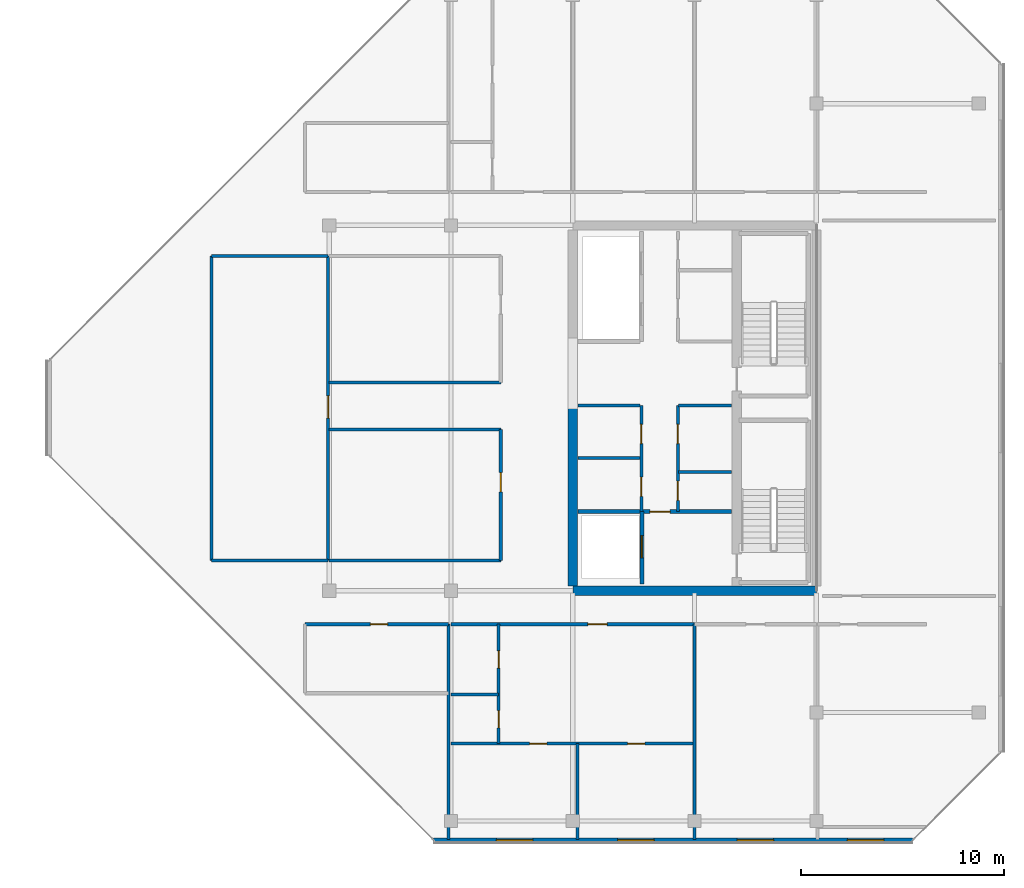
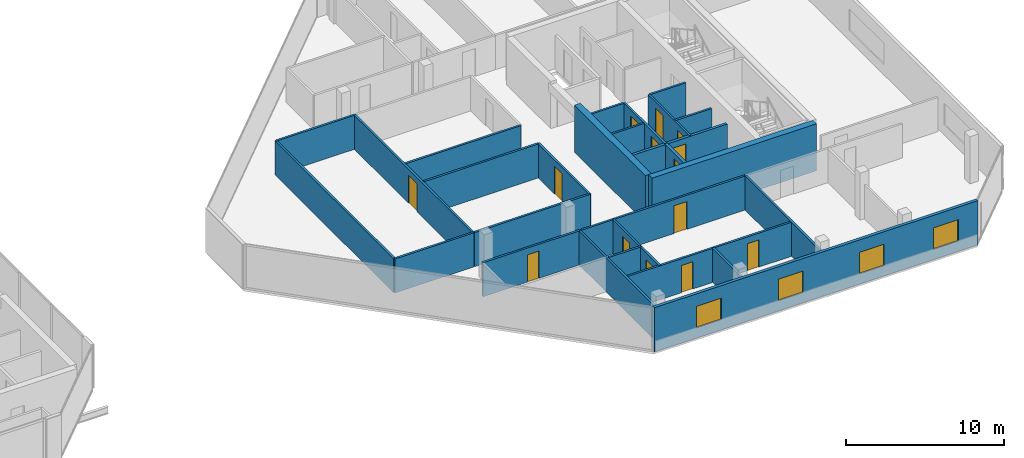
# One storey, part 22 of 28: 27 walls, 14 doors, 4 windows, 18 openings.
"""IFC4 building model written with IfcOpenShell, lengths in metres."""

from ifc_helpers import new_model, si_unit, direction, frame, frame_2d, origin, place, context, subcontext, project, spatial, rectangle, extrude, material, layer, layer_set, type_object, element, fill, save


model = new_model("IFC4")

# Units and contexts
model_context = context("Model", 3, precision=1e-05, world=origin(), true_north=direction((0.0, 1.0)))
body_context = subcontext(model_context, "Body", "Model", "MODEL_VIEW")
ifc_project = project(units=[si_unit("LENGTHUNIT", "METRE"), si_unit("AREAUNIT", "SQUARE_METRE"), si_unit("VOLUMEUNIT", "CUBIC_METRE"), si_unit("PLANEANGLEUNIT", "RADIAN"), si_unit("MASSUNIT", "GRAM", prefix="KILO")], contexts=[model_context])

# Site, building, storey
site_placement = place(None, origin())
site = spatial("IfcSite", under=ifc_project, at=site_placement, CompositionType="ELEMENT")
building_placement = place(site_placement, origin())
building = spatial("IfcBuilding", under=site, at=building_placement, Name="Tanjung Sevakor Pilgrim Tower", CompositionType="ELEMENT")
storey_placement = place(building_placement, frame((0.0, 0.0, 249.81005859375)))
storey = spatial("IfcBuildingStorey", under=building, at=storey_placement, Name="L70", CompositionType="ELEMENT", Elevation=249.81005859375)

# Walls
ifc_material_1 = material(Name="Concrete C60/75", Category="concrete")
ifc_layer_1 = layer(ifc_material_1, 0.449951171875)
ifc_layer_set_1 = layer_set([ifc_layer_1], Name="WALL-CW-450")
wall_type_1 = type_object("IfcWallType", Name="WALL-CW-450", PredefinedType="SHEAR", material=ifc_layer_set_1)
wall_1_placement = place(storey_placement, frame((78.0, 24.60009765625, 0.0), z_axis=(0.0, 0.0, 1.0), x_axis=(1.0, 0.0, 0.0)))
element("IfcWall", 1, at=wall_1_placement, inside=storey, type_object=wall_type_1, Name="L70 E Core South Shear Wall", PredefinedType="SHEAR", context=body_context, shape_type="SweptSolid", body=[
    extrude(rectangle(XDim=12.0, YDim=0.449951171875, at=frame_2d((6.0, 0.0))), origin(), (0.0, 0.0, 1.0), 3.6298828125),
])
wall_2_placement = place(storey_placement, frame((78.0, 24.824951171875, 0.0), z_axis=(0.0, 0.0, 1.0), x_axis=(0.0, 1.0, 0.0)))
element("IfcWall", 2, at=wall_2_placement, inside=storey, type_object=wall_type_1, Name="L70 E Core Inner Shear Wall South", PredefinedType="SHEAR", context=body_context, shape_type="SweptSolid", body=[
    extrude(rectangle(XDim=8.97509765625, YDim=0.449951171875, at=frame_2d((4.487548828125, 0.0))), origin(), (0.0, 0.0, 1.0), 3.6298828125),
])
ifc_material_2 = material(Name="Concrete C40/50", Category="concrete")
ifc_layer_2 = layer(ifc_material_2, 0.14990234375)
ifc_layer_set_2 = layer_set([ifc_layer_2], Name="WT-COMP-150")
wall_type_2 = type_object("IfcWallType", Name="WT-COMP-150", PredefinedType="SOLIDWALL", material=ifc_layer_set_2)
for number, where, z_axis, x_axis, name in (
    (3, (83.199951171875, 30.449951171875, 0.0), (0.0, 0.0, 1.0), (1.0, 0.0, 0.0), "L70 Partition IW-L70-016"),
    (4, (83.199951171875, 33.719970703125, 0.0), (0.0, 0.0, 1.0), (1.0, 0.0, 0.0), "L70 Partition IW-L70-017"),
):
    element("IfcWall", number, at=place(storey_placement, frame(where, z_axis=z_axis, x_axis=x_axis)), inside=storey, type_object=wall_type_2, Name=name, PredefinedType="SOLIDWALL", context=body_context, shape_type="SweptSolid", body=[
        extrude(rectangle(XDim=2.630126953125, YDim=0.14990234375, at=frame_2d((1.31494140625, 0.0))), origin(), (0.0, 0.0, 1.0), 2.6298828125),
    ])

# Wall, openings, doors
wall_3_placement = place(storey_placement, frame((83.179931640625, 28.5, 0.0), z_axis=(0.0, 0.0, 1.0), x_axis=(0.0, 1.0, 0.0)))
wall_3 = element("IfcWall", 5, at=wall_3_placement, inside=storey, type_object=wall_type_2, Name="L70 Partition IW-L70-018", PredefinedType="SOLIDWALL", context=body_context, shape_type="SweptSolid", body=[
    extrude(rectangle(XDim=5.219970703125, YDim=0.14990234375, at=frame_2d((2.60986328125, 0.0))), origin(), (0.0, 0.0, 1.0), 2.6298828125),
])
opening_1_placement = place(wall_3_placement, frame((0.550048828125, 0.0, 0.0)))
opening_1 = element("IfcOpeningElement", 6, at=opening_1_placement, cuts=wall_3, Name="Opening ID-FD2", PredefinedType="OPENING", context=body_context, shape_type="SweptSolid", body=[
    extrude(rectangle(XDim=0.949951171875, YDim=2.14990234375, at=frame_2d((0.47509765625, 1.074951171875))), frame((0.0, 0.0849609375, 0.0), z_axis=(0.0, -1.0, 0.0), x_axis=(1.0, 0.0, 0.0)), (0.0, 0.0, 1.0), 0.169921875),
])
opening_2_placement = place(wall_3_placement, frame((3.35009765625, 0.0, 0.0)))
opening_2 = element("IfcOpeningElement", 7, at=opening_2_placement, cuts=wall_3, Name="Opening ID-FD2", PredefinedType="OPENING", context=body_context, shape_type="SweptSolid", body=[
    extrude(rectangle(XDim=0.949951171875, YDim=2.14990234375, at=frame_2d((0.47509765625, 1.074951171875))), frame((0.0, 0.0849609375, 0.0), z_axis=(0.0, -1.0, 0.0), x_axis=(1.0, 0.0, 0.0)), (0.0, 0.0, 1.0), 0.169921875),
])
ifc_material_3 = material(Name="Fire-Rated Timber", Category="wood")
door_type_1 = type_object("IfcDoorType", Name="DT-FIRE-950", OperationType="NOTDEFINED", PredefinedType="DOOR", material=ifc_material_3)
door_1_placement = place(opening_1_placement, origin())
door_1 = element("IfcDoor", 8, at=door_1_placement, inside=storey, type_object=door_type_1, Name="L70 Cleaner Store Door", OperationType="SINGLE_SWING_LEFT", OverallHeight=2.14990234375, OverallWidth=0.949951171875, PredefinedType="DOOR", context=body_context, shape_type="SweptSolid", body=[
    extrude(rectangle(XDim=0.949951171875, YDim=2.14990234375, at=frame_2d((0.47509765625, 1.074951171875))), frame((0.0, 0.02490234375, 0.0), z_axis=(0.0, -1.0, 0.0), x_axis=(1.0, 0.0, 0.0)), (0.0, 0.0, 1.0), 0.050048828125),
])
fill(opening_1, door_1)
door_2_placement = place(opening_2_placement, origin())
door_2 = element("IfcDoor", 9, at=door_2_placement, inside=storey, type_object=door_type_1, Name="L70 Housekeeping Pantry Door", OperationType="SINGLE_SWING_RIGHT", OverallHeight=2.14990234375, OverallWidth=0.949951171875, PredefinedType="DOOR", context=body_context, shape_type="SweptSolid", body=[
    extrude(rectangle(XDim=0.949951171875, YDim=2.14990234375, at=frame_2d((0.47509765625, 1.074951171875))), frame((0.0, 0.02490234375, 0.0), z_axis=(0.0, -1.0, 0.0), x_axis=(1.0, 0.0, 0.0)), (0.0, 0.0, 1.0), 0.050048828125),
])
fill(opening_2, door_2)

# Walls
for number, where, z_axis, x_axis, name in (
    (10, (78.2451171875, 31.14990234375, 0.0), (0.0, 0.0, 1.0), (1.0, 0.0, 0.0), "L70 Partition IW-L70-019"),
    (11, (78.2451171875, 33.719970703125, 0.0), (0.0, 0.0, 1.0), (1.0, 0.0, 0.0), "L70 Partition IW-L70-020"),
):
    element("IfcWall", number, at=place(storey_placement, frame(where, z_axis=z_axis, x_axis=x_axis)), inside=storey, type_object=wall_type_2, Name=name, PredefinedType="SOLIDWALL", context=body_context, shape_type="SweptSolid", body=[
        extrude(rectangle(XDim=3.074951171875, YDim=0.14990234375, at=frame_2d((1.53759765625, 0.0))), origin(), (0.0, 0.0, 1.0), 2.6298828125),
    ])

# Wall, openings, doors
wall_4_placement = place(storey_placement, frame((81.3798828125, 28.5, 0.0), z_axis=(0.0, 0.0, 1.0), x_axis=(0.0, 1.0, 0.0)))
wall_4 = element("IfcWall", 12, at=wall_4_placement, inside=storey, type_object=wall_type_2, Name="L70 Partition IW-L70-021", PredefinedType="SOLIDWALL", context=body_context, shape_type="SweptSolid", body=[
    extrude(rectangle(XDim=5.219970703125, YDim=0.14990234375, at=frame_2d((2.60986328125, 0.0))), origin(), (0.0, 0.0, 1.0), 2.6298828125),
])
opening_3_placement = place(wall_4_placement, frame((0.75, 0.0, 0.0)))
opening_3 = element("IfcOpeningElement", 13, at=opening_3_placement, cuts=wall_4, Name="Opening ID-FD2", PredefinedType="OPENING", context=body_context, shape_type="SweptSolid", body=[
    extrude(rectangle(XDim=0.949951171875, YDim=2.14990234375, at=frame_2d((0.47509765625, 1.074951171875))), frame((0.0, 0.0849609375, 0.0), z_axis=(0.0, -1.0, 0.0), x_axis=(1.0, 0.0, 0.0)), (0.0, 0.0, 1.0), 0.169921875),
])
opening_4_placement = place(wall_4_placement, frame((3.35009765625, 0.0, 0.0)))
opening_4 = element("IfcOpeningElement", 14, at=opening_4_placement, cuts=wall_4, Name="Opening ID-FD2", PredefinedType="OPENING", context=body_context, shape_type="SweptSolid", body=[
    extrude(rectangle(XDim=0.949951171875, YDim=2.14990234375, at=frame_2d((0.47509765625, 1.074951171875))), frame((0.0, 0.0849609375, 0.0), z_axis=(0.0, -1.0, 0.0), x_axis=(1.0, 0.0, 0.0)), (0.0, 0.0, 1.0), 0.169921875),
])
door_3_placement = place(opening_3_placement, origin())
door_3 = element("IfcDoor", 15, at=door_3_placement, inside=storey, type_object=door_type_1, Name="L70 Accessible WC Door", OperationType="SINGLE_SWING_LEFT", OverallHeight=2.14990234375, OverallWidth=0.949951171875, PredefinedType="DOOR", context=body_context, shape_type="SweptSolid", body=[
    extrude(rectangle(XDim=0.949951171875, YDim=2.14990234375, at=frame_2d((0.47509765625, 1.074951171875))), frame((0.0, 0.02490234375, 0.0), z_axis=(0.0, -1.0, 0.0), x_axis=(1.0, 0.0, 0.0)), (0.0, 0.0, 1.0), 0.050048828125),
])
fill(opening_3, door_3)
door_4_placement = place(opening_4_placement, origin())
door_4 = element("IfcDoor", 16, at=door_4_placement, inside=storey, type_object=door_type_1, Name="L70 Core Service Door", OperationType="SINGLE_SWING_RIGHT", OverallHeight=2.14990234375, OverallWidth=0.949951171875, PredefinedType="DOOR", context=body_context, shape_type="SweptSolid", body=[
    extrude(rectangle(XDim=0.949951171875, YDim=2.14990234375, at=frame_2d((0.47509765625, 1.074951171875))), frame((0.0, 0.02490234375, 0.0), z_axis=(0.0, -1.0, 0.0), x_axis=(1.0, 0.0, 0.0)), (0.0, 0.0, 1.0), 0.050048828125),
])
fill(opening_4, door_4)

# Wall, opening, door
wall_5_placement = place(storey_placement, frame((64.800048828125, 22.949951171875, 0.0), z_axis=(0.0, 0.0, 1.0), x_axis=(1.0, 0.0, 0.0)))
wall_5 = element("IfcWall", 17, at=wall_5_placement, inside=storey, type_object=wall_type_2, Name="L70 Partition IW-L70-036", PredefinedType="SOLIDWALL", context=body_context, shape_type="SweptSolid", body=[
    extrude(rectangle(XDim=7.079833984375, YDim=0.14990234375, at=frame_2d((3.5400390625, 0.0))), origin(), (0.0, 0.0, 1.0), 2.6298828125),
])
opening_5_placement = place(wall_5_placement, frame((3.22509765625, 0.0, 0.0)))
opening_5 = element("IfcOpeningElement", 18, at=opening_5_placement, cuts=wall_5, Name="Opening ID-WC1", PredefinedType="OPENING", context=body_context, shape_type="SweptSolid", body=[
    extrude(rectangle(XDim=0.85009765625, YDim=2.10009765625, at=frame_2d((0.425048828125, 1.050048828125))), frame((0.0, 0.0849609375, 0.0), z_axis=(0.0, -1.0, 0.0), x_axis=(1.0, 0.0, 0.0)), (0.0, 0.0, 1.0), 0.169921875),
])
ifc_material_4 = material(Name="Moisture-Resistant Timber", Category="wood")
door_type_2 = type_object("IfcDoorType", Name="DT-INT-850", OperationType="NOTDEFINED", PredefinedType="DOOR", material=ifc_material_4)
door_5_placement = place(opening_5_placement, origin())
door_5 = element("IfcDoor", 19, at=door_5_placement, inside=storey, type_object=door_type_2, Name="L70 SW Crown Suite Door", OperationType="SINGLE_SWING_RIGHT", OverallHeight=2.10009765625, OverallWidth=0.85009765625, PredefinedType="DOOR", context=body_context, shape_type="SweptSolid", body=[
    extrude(rectangle(XDim=0.85009765625, YDim=2.10009765625, at=frame_2d((0.425048828125, 1.050048828125))), frame((0.0, 0.02490234375, 0.0), z_axis=(0.0, -1.0, 0.0), x_axis=(1.0, 0.0, 0.0)), (0.0, 0.0, 1.0), 0.050048828125),
])
fill(opening_5, door_5)

# Walls
for number, where, z_axis, x_axis, name in (
    (20, (71.8798828125, 12.340087890625, 0.0), (0.0, 0.0, 1.0), (0.0, 1.0, 0.0), "L70 Partition IW-L70-038"),
    (21, (84.0, 12.340087890625, 0.0), (0.0, 0.0, 1.0), (0.0, 1.0, 0.0), "L70 Partition IW-L70-051"),
):
    element("IfcWall", number, at=place(storey_placement, frame(where, z_axis=z_axis, x_axis=x_axis)), inside=storey, type_object=wall_type_2, Name=name, PredefinedType="SOLIDWALL", context=body_context, shape_type="SweptSolid", body=[
        extrude(rectangle(XDim=10.60986328125, YDim=0.14990234375, at=frame_2d((5.304931640625, 0.0))), origin(), (0.0, 0.0, 1.0), 2.6298828125),
    ])

# Wall, opening, door
wall_6_placement = place(storey_placement, frame((72.0, 22.949951171875, 0.0), z_axis=(0.0, 0.0, 1.0), x_axis=(1.0, 0.0, 0.0)))
wall_6 = element("IfcWall", 22, at=wall_6_placement, inside=storey, type_object=wall_type_2, Name="L70 Partition IW-L70-056", PredefinedType="SOLIDWALL", context=body_context, shape_type="SweptSolid", body=[
    extrude(rectangle(XDim=12.0, YDim=0.14990234375, at=frame_2d((6.0, 0.0))), origin(), (0.0, 0.0, 1.0), 2.6298828125),
])
opening_6_placement = place(wall_6_placement, frame((6.739990234375, 0.0, 0.0)))
opening_6 = element("IfcOpeningElement", 23, at=opening_6_placement, cuts=wall_6, Name="Opening ID-FD2", PredefinedType="OPENING", context=body_context, shape_type="SweptSolid", body=[
    extrude(rectangle(XDim=0.949951171875, YDim=2.14990234375, at=frame_2d((0.47509765625, 1.074951171875))), frame((0.0, 0.0849609375, 0.0), z_axis=(0.0, -1.0, 0.0), x_axis=(1.0, 0.0, 0.0)), (0.0, 0.0, 1.0), 0.169921875),
])
door_6_placement = place(opening_6_placement, origin())
door_6 = element("IfcDoor", 24, at=door_6_placement, inside=storey, type_object=door_type_1, Name="Suite Entrance", OperationType="SINGLE_SWING_LEFT", OverallHeight=2.14990234375, OverallWidth=0.949951171875, PredefinedType="DOOR", context=body_context, shape_type="SweptSolid", body=[
    extrude(rectangle(XDim=0.949951171875, YDim=2.14990234375, at=frame_2d((0.47509765625, 1.074951171875))), frame((0.0, 0.02490234375, 0.0), z_axis=(0.0, -1.0, 0.0), x_axis=(1.0, 0.0, 0.0)), (0.0, 0.0, 1.0), 0.050048828125),
])
fill(opening_6, door_6)

# Walls
for number, where, z_axis, x_axis, name in (
    (25, (60.199951171875, 26.10009765625, 0.0), (0.0, 0.0, 1.0), (1.0, 0.0, 0.0), "L70 Partition IW-L70-065"),
    (26, (60.199951171875, 41.10009765625, 0.0), (0.0, 0.0, 1.0), (1.0, 0.0, 0.0), "L70 Partition IW-L70-066"),
):
    element("IfcWall", number, at=place(storey_placement, frame(where, z_axis=z_axis, x_axis=x_axis)), inside=storey, type_object=wall_type_2, Name=name, PredefinedType="SOLIDWALL", context=body_context, shape_type="SweptSolid", body=[
        extrude(rectangle(XDim=5.75, YDim=0.14990234375, at=frame_2d((2.875, 0.0))), origin(), (0.0, 0.0, 1.0), 2.6298828125),
    ])
wall_7_placement = place(storey_placement, frame((60.199951171875, 26.10009765625, 0.0), z_axis=(0.0, 0.0, 1.0), x_axis=(0.0, 1.0, 0.0)))
element("IfcWall", 27, at=wall_7_placement, inside=storey, type_object=wall_type_2, Name="L70 Partition IW-L70-067", PredefinedType="SOLIDWALL", context=body_context, shape_type="SweptSolid", body=[
    extrude(rectangle(XDim=15.0, YDim=0.14990234375, at=frame_2d((7.5, 0.0))), origin(), (0.0, 0.0, 1.0), 2.6298828125),
])

# Wall, opening, door
wall_8_placement = place(storey_placement, frame((65.949951171875, 26.10009765625, 0.0), z_axis=(0.0, 0.0, 1.0), x_axis=(0.0, 1.0, 0.0)))
wall_8 = element("IfcWall", 28, at=wall_8_placement, inside=storey, type_object=wall_type_2, Name="L70 Partition IW-L70-068", PredefinedType="SOLIDWALL", context=body_context, shape_type="SweptSolid", body=[
    extrude(rectangle(XDim=15.0, YDim=0.14990234375, at=frame_2d((7.5, 0.0))), origin(), (0.0, 0.0, 1.0), 2.6298828125),
])
opening_7_placement = place(wall_8_placement, frame((7.0, 0.0, 0.0)))
opening_7 = element("IfcOpeningElement", 29, at=opening_7_placement, cuts=wall_8, Name="Opening ID-RM2", PredefinedType="OPENING", context=body_context, shape_type="SweptSolid", body=[
    extrude(rectangle(XDim=1.10009765625, YDim=2.14990234375, at=frame_2d((0.550048828125, 1.074951171875))), frame((0.0, 0.0849609375, 0.0), z_axis=(0.0, -1.0, 0.0), x_axis=(1.0, 0.0, 0.0)), (0.0, 0.0, 1.0), 0.169921875),
])
ifc_material_5 = material(Name="Hardwood Timber", Category="wood")
door_type_3 = type_object("IfcDoorType", Name="DT-INT-1100", OperationType="NOTDEFINED", PredefinedType="DOOR", material=ifc_material_5)
door_7_placement = place(opening_7_placement, origin())
door_7 = element("IfcDoor", 30, at=door_7_placement, inside=storey, type_object=door_type_3, Name="L70 West Cleft Sanctuary Door", OperationType="SINGLE_SWING_RIGHT", OverallHeight=2.14990234375, OverallWidth=1.10009765625, PredefinedType="DOOR", context=body_context, shape_type="SweptSolid", body=[
    extrude(rectangle(XDim=1.10009765625, YDim=2.14990234375, at=frame_2d((0.550048828125, 1.074951171875))), frame((0.0, 0.02490234375, 0.0), z_axis=(0.0, -1.0, 0.0), x_axis=(1.0, 0.0, 0.0)), (0.0, 0.0, 1.0), 0.050048828125),
])
fill(opening_7, door_7)

# Walls
for number, where, z_axis, x_axis, name in (
    (31, (66.0, 26.10009765625, 0.0), (0.0, 0.0, 1.0), (1.0, 0.0, 0.0), "L70 Partition IW-L70-069"),
    (32, (66.0, 32.550048828125, 0.0), (0.0, 0.0, 1.0), (1.0, 0.0, 0.0), "L70 Partition IW-L70-070"),
):
    element("IfcWall", number, at=place(storey_placement, frame(where, z_axis=z_axis, x_axis=x_axis)), inside=storey, type_object=wall_type_2, Name=name, PredefinedType="SOLIDWALL", context=body_context, shape_type="SweptSolid", body=[
        extrude(rectangle(XDim=8.449951171875, YDim=0.14990234375, at=frame_2d((4.22509765625, 0.0))), origin(), (0.0, 0.0, 1.0), 2.6298828125),
    ])

# Wall, opening, door
wall_9_placement = place(storey_placement, frame((74.449951171875, 26.10009765625, 0.0), z_axis=(0.0, 0.0, 1.0), x_axis=(0.0, 1.0, 0.0)))
wall_9 = element("IfcWall", 33, at=wall_9_placement, inside=storey, type_object=wall_type_2, Name="L70 Partition IW-L70-071", PredefinedType="SOLIDWALL", context=body_context, shape_type="SweptSolid", body=[
    extrude(rectangle(XDim=6.449951171875, YDim=0.14990234375, at=frame_2d((3.22509765625, 0.0))), origin(), (0.0, 0.0, 1.0), 2.6298828125),
])
opening_8_placement = place(wall_9_placement, frame((3.375, 0.0, 0.0)))
opening_8 = element("IfcOpeningElement", 34, at=opening_8_placement, cuts=wall_9, Name="Opening ID-RM1", PredefinedType="OPENING", context=body_context, shape_type="SweptSolid", body=[
    extrude(rectangle(XDim=0.949951171875, YDim=2.14990234375, at=frame_2d((0.47509765625, 1.074951171875))), frame((0.0, 0.0849609375, 0.0), z_axis=(0.0, -1.0, 0.0), x_axis=(1.0, 0.0, 0.0)), (0.0, 0.0, 1.0), 0.169921875),
])
ifc_material_6 = material(Name="Hardwood Timber", Category="wood")
door_type_4 = type_object("IfcDoorType", Name="DT-INT-950", OperationType="NOTDEFINED", PredefinedType="DOOR", material=ifc_material_6)
door_8_placement = place(opening_8_placement, origin())
door_8 = element("IfcDoor", 35, at=door_8_placement, inside=storey, type_object=door_type_4, Name="L70 East Peak Seminar Door", OperationType="SINGLE_SWING_LEFT", OverallHeight=2.14990234375, OverallWidth=0.949951171875, PredefinedType="DOOR", context=body_context, shape_type="SweptSolid", body=[
    extrude(rectangle(XDim=0.949951171875, YDim=2.14990234375, at=frame_2d((0.47509765625, 1.074951171875))), frame((0.0, 0.02490234375, 0.0), z_axis=(0.0, -1.0, 0.0), x_axis=(1.0, 0.0, 0.0)), (0.0, 0.0, 1.0), 0.050048828125),
])
fill(opening_8, door_8)

# Wall
wall_10_placement = place(storey_placement, frame((66.0, 34.85009765625, 0.0), z_axis=(0.0, 0.0, 1.0), x_axis=(1.0, 0.0, 0.0)))
element("IfcWall", 36, at=wall_10_placement, inside=storey, type_object=wall_type_2, Name="L70 Partition IW-L70-072", PredefinedType="SOLIDWALL", context=body_context, shape_type="SweptSolid", body=[
    extrude(rectangle(XDim=8.449951171875, YDim=0.14990234375, at=frame_2d((4.22509765625, 0.0))), origin(), (0.0, 0.0, 1.0), 2.6298828125),
])

# Wall, openings, windows
ifc_material_7 = material(Name="Precast concrete C45/55", Category="concrete")
ifc_layer_3 = layer(ifc_material_7, 0.219970703125)
ifc_layer_set_3 = layer_set([ifc_layer_3], Name="WT-EW-STN4")
wall_type_3 = type_object("IfcWallType", Name="WT-EW-STN4", PredefinedType="SOLIDWALL", material=ifc_layer_set_3)
wall_11_placement = place(storey_placement, frame((71.1455078125, 12.31005859375, 0.0), z_axis=(0.0, 0.0, 1.0), x_axis=(1.0, 0.0, 0.0)))
wall_11 = element("IfcWall", 37, at=wall_11_placement, inside=storey, type_object=wall_type_3, Name="L70 EAST Exterior Wall 1", PredefinedType="SOLIDWALL", context=body_context, shape_type="SweptSolid", body=[
    extrude(rectangle(XDim=23.60888671875, YDim=0.219970703125, at=frame_2d((11.804443359375, 0.0))), origin(), (0.0, 0.0, 1.0), 3.409912109375),
])
opening_9_placement = place(wall_11_placement, frame((20.381591796875, 0.0, 0.780029296875)))
opening_9 = element("IfcOpeningElement", 38, at=opening_9_placement, cuts=wall_11, Name="Opening WN-Z3-1660", PredefinedType="OPENING", context=body_context, shape_type="SweptSolid", body=[
    extrude(rectangle(XDim=1.800048828125, YDim=1.659912109375, at=frame_2d((0.89990234375, 0.830078125))), frame((0.0, 0.119873046875, 0.0), z_axis=(0.0, -1.0, 0.0), x_axis=(1.0, 0.0, 0.0)), (0.0, 0.0, 1.0), 0.239990234375),
])
opening_10_placement = place(wall_11_placement, frame((3.08447265625, 0.0, 0.780029296875)))
opening_10 = element("IfcOpeningElement", 39, at=opening_10_placement, cuts=wall_11, Name="Opening WN-Z3-1660", PredefinedType="OPENING", context=body_context, shape_type="SweptSolid", body=[
    extrude(rectangle(XDim=1.800048828125, YDim=1.659912109375, at=frame_2d((0.89990234375, 0.830078125))), frame((0.0, 0.119873046875, 0.0), z_axis=(0.0, -1.0, 0.0), x_axis=(1.0, 0.0, 0.0)), (0.0, 0.0, 1.0), 0.239990234375),
])
opening_11_placement = place(wall_11_placement, frame((9.064453125, 0.0, 0.780029296875)))
opening_11 = element("IfcOpeningElement", 40, at=opening_11_placement, cuts=wall_11, Name="Opening WN-Z3-1660", PredefinedType="OPENING", context=body_context, shape_type="SweptSolid", body=[
    extrude(rectangle(XDim=1.800048828125, YDim=1.659912109375, at=frame_2d((0.89990234375, 0.830078125))), frame((0.0, 0.119873046875, 0.0), z_axis=(0.0, -1.0, 0.0), x_axis=(1.0, 0.0, 0.0)), (0.0, 0.0, 1.0), 0.239990234375),
])
opening_12_placement = place(wall_11_placement, frame((14.954345703125, 0.0, 0.780029296875)))
opening_12 = element("IfcOpeningElement", 41, at=opening_12_placement, cuts=wall_11, Name="Opening WN-Z3-1660", PredefinedType="OPENING", context=body_context, shape_type="SweptSolid", body=[
    extrude(rectangle(XDim=1.800048828125, YDim=1.659912109375, at=frame_2d((0.89990234375, 0.830078125))), frame((0.0, 0.119873046875, 0.0), z_axis=(0.0, -1.0, 0.0), x_axis=(1.0, 0.0, 0.0)), (0.0, 0.0, 1.0), 0.239990234375),
])
ifc_material_8 = material(Name="Thermally Broken Aluminium and Low-E Glass", Category="aluminium")
window_type = type_object("IfcWindowType", Name="WTYP-WN-Z3-1660", PartitioningType="DOUBLE_PANEL_VERTICAL", PredefinedType="WINDOW", material=ifc_material_8)
window_1_placement = place(opening_9_placement, origin())
window_1 = element("IfcWindow", 42, at=window_1_placement, inside=storey, type_object=window_type, Name="L70 Facade Window 01", OverallHeight=1.659912109375, OverallWidth=1.800048828125, PartitioningType="SINGLE_PANEL", PredefinedType="WINDOW", context=body_context, shape_type="SweptSolid", body=[
    extrude(rectangle(XDim=1.800048828125, YDim=1.659912109375, at=frame_2d((0.89990234375, 0.830078125))), frame((0.0, 0.030029296875, 0.0), z_axis=(0.0, -1.0, 0.0), x_axis=(1.0, 0.0, 0.0)), (0.0, 0.0, 1.0), 0.06005859375),
])
fill(opening_9, window_1)
window_2_placement = place(opening_10_placement, origin())
window_2 = element("IfcWindow", 43, at=window_2_placement, inside=storey, type_object=window_type, Name="L70 Facade Window 02", OverallHeight=1.659912109375, OverallWidth=1.800048828125, PartitioningType="SINGLE_PANEL", PredefinedType="WINDOW", context=body_context, shape_type="SweptSolid", body=[
    extrude(rectangle(XDim=1.800048828125, YDim=1.659912109375, at=frame_2d((0.89990234375, 0.830078125))), frame((0.0, 0.030029296875, 0.0), z_axis=(0.0, -1.0, 0.0), x_axis=(1.0, 0.0, 0.0)), (0.0, 0.0, 1.0), 0.06005859375),
])
fill(opening_10, window_2)
window_3_placement = place(opening_11_placement, origin())
window_3 = element("IfcWindow", 44, at=window_3_placement, inside=storey, type_object=window_type, Name="L70 Facade Window 03", OverallHeight=1.659912109375, OverallWidth=1.800048828125, PartitioningType="SINGLE_PANEL", PredefinedType="WINDOW", context=body_context, shape_type="SweptSolid", body=[
    extrude(rectangle(XDim=1.800048828125, YDim=1.659912109375, at=frame_2d((0.89990234375, 0.830078125))), frame((0.0, 0.030029296875, 0.0), z_axis=(0.0, -1.0, 0.0), x_axis=(1.0, 0.0, 0.0)), (0.0, 0.0, 1.0), 0.06005859375),
])
fill(opening_11, window_3)
window_4_placement = place(opening_12_placement, origin())
window_4 = element("IfcWindow", 45, at=window_4_placement, inside=storey, type_object=window_type, Name="L70 Facade Window 04", OverallHeight=1.659912109375, OverallWidth=1.800048828125, PartitioningType="SINGLE_PANEL", PredefinedType="WINDOW", context=body_context, shape_type="SweptSolid", body=[
    extrude(rectangle(XDim=1.800048828125, YDim=1.659912109375, at=frame_2d((0.89990234375, 0.830078125))), frame((0.0, 0.030029296875, 0.0), z_axis=(0.0, -1.0, 0.0), x_axis=(1.0, 0.0, 0.0)), (0.0, 0.0, 1.0), 0.06005859375),
])
fill(opening_12, window_4)

# Wall, opening, door
ifc_material_9 = material(Name="Concrete C40/50", Category="concrete")
ifc_layer_4 = layer(ifc_material_9, 0.199951171875)
ifc_layer_set_4 = layer_set([ifc_layer_4], Name="WT-FPRT-200")
wall_type_4 = type_object("IfcWallType", Name="WT-FPRT-200", PredefinedType="SOLIDWALL", material=ifc_layer_set_4)
wall_12_placement = place(storey_placement, frame((81.39990234375, 24.919921875, 0.0), z_axis=(0.0, 0.0, 1.0), x_axis=(0.0, 1.0, 0.0)))
wall_12 = element("IfcWall", 46, at=wall_12_placement, inside=storey, type_object=wall_type_4, Name="L70 Partition IW-L70-014", PredefinedType="SOLIDWALL", context=body_context, shape_type="SweptSolid", body=[
    extrude(rectangle(XDim=3.580078125, YDim=0.199951171875, at=frame_2d((1.7900390625, 0.0))), origin(), (0.0, 0.0, 1.0), 2.6298828125),
])
opening_13_placement = place(wall_12_placement, frame((1.300048828125, 0.0, 0.0)))
opening_13 = element("IfcOpeningElement", 47, at=opening_13_placement, cuts=wall_12, Name="Opening LD-1100", PredefinedType="OPENING", context=body_context, shape_type="SweptSolid", body=[
    extrude(rectangle(XDim=1.10009765625, YDim=2.199951171875, at=frame_2d((0.550048828125, 1.10009765625))), frame((0.0, 0.10986328125, 0.0), z_axis=(0.0, -1.0, 0.0), x_axis=(1.0, 0.0, 0.0)), (0.0, 0.0, 1.0), 0.219970703125),
])
ifc_material_10 = material(Name="Brushed Stainless Steel S355J2", Category="steel")
door_type_5 = type_object("IfcDoorType", Name="DT-LIFT-1100", OperationType="SLIDING_TO_LEFT", PredefinedType="DOOR", material=ifc_material_10)
door_9_placement = place(opening_13_placement, origin())
door_9 = element("IfcDoor", 48, at=door_9_placement, inside=storey, type_object=door_type_5, Name="LD-FL-E", OperationType="SLIDING_TO_LEFT", OverallHeight=2.199951171875, OverallWidth=1.10009765625, PredefinedType="DOOR", context=body_context, shape_type="SweptSolid", body=[
    extrude(rectangle(XDim=1.10009765625, YDim=2.199951171875, at=frame_2d((0.550048828125, 1.10009765625))), frame((0.0, 0.02490234375, 0.0), z_axis=(0.0, -1.0, 0.0), x_axis=(1.0, 0.0, 0.0)), (0.0, 0.0, 1.0), 0.050048828125),
])
fill(opening_13, door_9)

wall_13_placement = place(storey_placement, frame((78.2451171875, 28.5, 0.0), z_axis=(0.0, 0.0, 1.0), x_axis=(1.0, 0.0, 0.0)))
wall_13 = element("IfcWall", 49, at=wall_13_placement, inside=storey, type_object=wall_type_4, Name="L70 Partition IW-L70-015", PredefinedType="SOLIDWALL", context=body_context, shape_type="SweptSolid", body=[
    extrude(rectangle(XDim=7.5849609375, YDim=0.199951171875, at=frame_2d((3.79248046875, 0.0))), origin(), (0.0, 0.0, 1.0), 2.6298828125),
])
opening_14_placement = place(wall_13_placement, frame((3.554931640625, 0.0, 0.0)))
opening_14 = element("IfcOpeningElement", 50, at=opening_14_placement, cuts=wall_13, Name="Opening ID-FD1", PredefinedType="OPENING", context=body_context, shape_type="SweptSolid", body=[
    extrude(rectangle(XDim=1.0, YDim=2.14990234375, at=frame_2d((0.5, 1.074951171875))), frame((0.0, 0.10986328125, 0.0), z_axis=(0.0, -1.0, 0.0), x_axis=(1.0, 0.0, 0.0)), (0.0, 0.0, 1.0), 0.219970703125),
])
ifc_material_11 = material(Name="Fire-Rated Steel S355J2", Category="steel")
door_type_6 = type_object("IfcDoorType", Name="DT-FIRE-1000", OperationType="NOTDEFINED", PredefinedType="DOOR", material=ifc_material_11)
door_10_placement = place(opening_14_placement, origin())
door_10 = element("IfcDoor", 51, at=door_10_placement, inside=storey, type_object=door_type_6, Name="Fire Lobby Door E", OperationType="SINGLE_SWING_RIGHT", OverallHeight=2.14990234375, OverallWidth=1.0, PredefinedType="DOOR", context=body_context, shape_type="SweptSolid", body=[
    extrude(rectangle(XDim=1.0, YDim=2.14990234375, at=frame_2d((0.5, 1.074951171875))), frame((0.0, 0.02490234375, 0.0), z_axis=(0.0, -1.0, 0.0), x_axis=(1.0, 0.0, 0.0)), (0.0, 0.0, 1.0), 0.050048828125),
])
fill(opening_14, door_10)

# Wall
ifc_material_12 = material(Name="Gypsum Board Partition", Category="gypsum board")
ifc_layer_5 = layer(ifc_material_12, 0.14990234375)
ifc_layer_set_5 = layer_set([ifc_layer_5], Name="WT-PART-150")
wall_type_5 = type_object("IfcWallType", Name="WT-PART-150", PredefinedType="PARTITIONING", material=ifc_layer_set_5)
wall_14_placement = place(storey_placement, frame((72.0, 19.4794921875, 0.0), z_axis=(0.0, 0.0, 1.0), x_axis=(1.0, 0.0, 0.0)))
element("IfcWall", 52, at=wall_14_placement, inside=storey, type_object=wall_type_5, Name="L70 Partition IW-L70-052", PredefinedType="PARTITIONING", context=body_context, shape_type="SweptSolid", body=[
    extrude(rectangle(XDim=2.35009765625, YDim=0.14990234375, at=frame_2d((1.175048828125, 0.0))), origin(), (0.0, 0.0, 1.0), 2.6298828125),
])

# Wall, openings, doors
wall_15_placement = place(storey_placement, frame((74.35009765625, 17.067626953125, 0.0), z_axis=(0.0, 0.0, 1.0), x_axis=(0.0, 1.0, 0.0)))
wall_15 = element("IfcWall", 53, at=wall_15_placement, inside=storey, type_object=wall_type_5, Name="L70 Partition IW-L70-053", PredefinedType="PARTITIONING", context=body_context, shape_type="SweptSolid", body=[
    extrude(rectangle(XDim=5.88232421875, YDim=0.14990234375, at=frame_2d((2.941162109375, 0.0))), origin(), (0.0, 0.0, 1.0), 2.6298828125),
])
opening_15_placement = place(wall_15_placement, frame((0.781005859375, 0.0, 0.0)))
opening_15 = element("IfcOpeningElement", 54, at=opening_15_placement, cuts=wall_15, Name="Opening ID-WC1", PredefinedType="OPENING", context=body_context, shape_type="SweptSolid", body=[
    extrude(rectangle(XDim=0.85009765625, YDim=2.10009765625, at=frame_2d((0.425048828125, 1.050048828125))), frame((0.0, 0.0849609375, 0.0), z_axis=(0.0, -1.0, 0.0), x_axis=(1.0, 0.0, 0.0)), (0.0, 0.0, 1.0), 0.169921875),
])
opening_16_placement = place(wall_15_placement, frame((3.72216796875, 0.0, 0.0)))
opening_16 = element("IfcOpeningElement", 55, at=opening_16_placement, cuts=wall_15, Name="Opening ID-WC1", PredefinedType="OPENING", context=body_context, shape_type="SweptSolid", body=[
    extrude(rectangle(XDim=0.85009765625, YDim=2.10009765625, at=frame_2d((0.425048828125, 1.050048828125))), frame((0.0, 0.0849609375, 0.0), z_axis=(0.0, -1.0, 0.0), x_axis=(1.0, 0.0, 0.0)), (0.0, 0.0, 1.0), 0.169921875),
])
door_11_placement = place(opening_15_placement, origin())
door_11 = element("IfcDoor", 56, at=door_11_placement, inside=storey, type_object=door_type_2, Name="Suite Bathroom Door", OperationType="SINGLE_SWING_LEFT", OverallHeight=2.10009765625, OverallWidth=0.85009765625, PredefinedType="DOOR", context=body_context, shape_type="SweptSolid", body=[
    extrude(rectangle(XDim=0.85009765625, YDim=2.10009765625, at=frame_2d((0.425048828125, 1.050048828125))), frame((0.0, 0.02490234375, 0.0), z_axis=(0.0, -1.0, 0.0), x_axis=(1.0, 0.0, 0.0)), (0.0, 0.0, 1.0), 0.050048828125),
])
fill(opening_15, door_11)
door_12_placement = place(opening_16_placement, origin())
door_12 = element("IfcDoor", 57, at=door_12_placement, inside=storey, type_object=door_type_2, Name="Suite Kitchenette Door", OperationType="SINGLE_SWING_RIGHT", OverallHeight=2.10009765625, OverallWidth=0.85009765625, PredefinedType="DOOR", context=body_context, shape_type="SweptSolid", body=[
    extrude(rectangle(XDim=0.85009765625, YDim=2.10009765625, at=frame_2d((0.425048828125, 1.050048828125))), frame((0.0, 0.02490234375, 0.0), z_axis=(0.0, -1.0, 0.0), x_axis=(1.0, 0.0, 0.0)), (0.0, 0.0, 1.0), 0.050048828125),
])
fill(opening_16, door_12)

# Wall
wall_16_placement = place(storey_placement, frame((78.239990234375, 12.340087890625, 0.0), z_axis=(0.0, 0.0, 1.0), x_axis=(0.0, 1.0, 0.0)))
element("IfcWall", 58, at=wall_16_placement, inside=storey, type_object=wall_type_5, Name="L70 Partition IW-L70-054", PredefinedType="PARTITIONING", context=body_context, shape_type="SweptSolid", body=[
    extrude(rectangle(XDim=4.7275390625, YDim=0.14990234375, at=frame_2d((2.36376953125, 0.0))), origin(), (0.0, 0.0, 1.0), 2.6298828125),
])

# Wall, openings, doors
wall_17_placement = place(storey_placement, frame((72.0, 17.067626953125, 0.0), z_axis=(0.0, 0.0, 1.0), x_axis=(1.0, 0.0, 0.0)))
wall_17 = element("IfcWall", 59, at=wall_17_placement, inside=storey, type_object=wall_type_5, Name="L70 Partition IW-L70-055", PredefinedType="PARTITIONING", context=body_context, shape_type="SweptSolid", body=[
    extrude(rectangle(XDim=12.0, YDim=0.14990234375, at=frame_2d((6.0, 0.0))), origin(), (0.0, 0.0, 1.0), 2.6298828125),
])
opening_17_placement = place(wall_17_placement, frame((3.8701171875, 0.0, 0.0)))
opening_17 = element("IfcOpeningElement", 60, at=opening_17_placement, cuts=wall_17, Name="Opening ID-WC1", PredefinedType="OPENING", context=body_context, shape_type="SweptSolid", body=[
    extrude(rectangle(XDim=0.85009765625, YDim=2.10009765625, at=frame_2d((0.425048828125, 1.050048828125))), frame((0.0, 0.0849609375, 0.0), z_axis=(0.0, -1.0, 0.0), x_axis=(1.0, 0.0, 0.0)), (0.0, 0.0, 1.0), 0.169921875),
])
opening_18_placement = place(wall_17_placement, frame((8.695068359375, 0.0, 0.0)))
opening_18 = element("IfcOpeningElement", 61, at=opening_18_placement, cuts=wall_17, Name="Opening ID-WC1", PredefinedType="OPENING", context=body_context, shape_type="SweptSolid", body=[
    extrude(rectangle(XDim=0.85009765625, YDim=2.10009765625, at=frame_2d((0.425048828125, 1.050048828125))), frame((0.0, 0.0849609375, 0.0), z_axis=(0.0, -1.0, 0.0), x_axis=(1.0, 0.0, 0.0)), (0.0, 0.0, 1.0), 0.169921875),
])
door_13_placement = place(opening_17_placement, origin())
door_13 = element("IfcDoor", 62, at=door_13_placement, inside=storey, type_object=door_type_2, Name="Suite Bedroom 1 Door", OperationType="SINGLE_SWING_LEFT", OverallHeight=2.10009765625, OverallWidth=0.85009765625, PredefinedType="DOOR", context=body_context, shape_type="SweptSolid", body=[
    extrude(rectangle(XDim=0.85009765625, YDim=2.10009765625, at=frame_2d((0.425048828125, 1.050048828125))), frame((0.0, 0.02490234375, 0.0), z_axis=(0.0, -1.0, 0.0), x_axis=(1.0, 0.0, 0.0)), (0.0, 0.0, 1.0), 0.050048828125),
])
fill(opening_17, door_13)
door_14_placement = place(opening_18_placement, origin())
door_14 = element("IfcDoor", 63, at=door_14_placement, inside=storey, type_object=door_type_2, Name="Suite Bedroom 2 Door", OperationType="SINGLE_SWING_RIGHT", OverallHeight=2.10009765625, OverallWidth=0.85009765625, PredefinedType="DOOR", context=body_context, shape_type="SweptSolid", body=[
    extrude(rectangle(XDim=0.85009765625, YDim=2.10009765625, at=frame_2d((0.425048828125, 1.050048828125))), frame((0.0, 0.02490234375, 0.0), z_axis=(0.0, -1.0, 0.0), x_axis=(1.0, 0.0, 0.0)), (0.0, 0.0, 1.0), 0.050048828125),
])
fill(opening_18, door_14)

save(model, "model.ifc")
